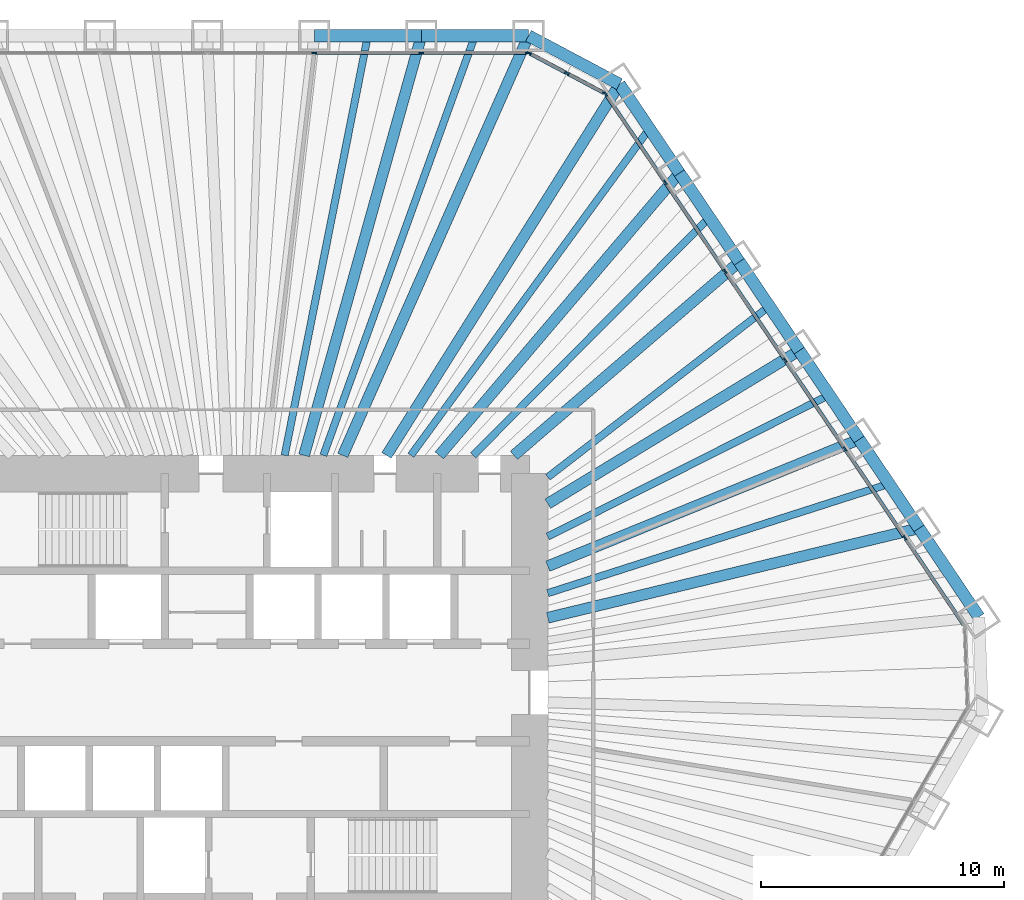
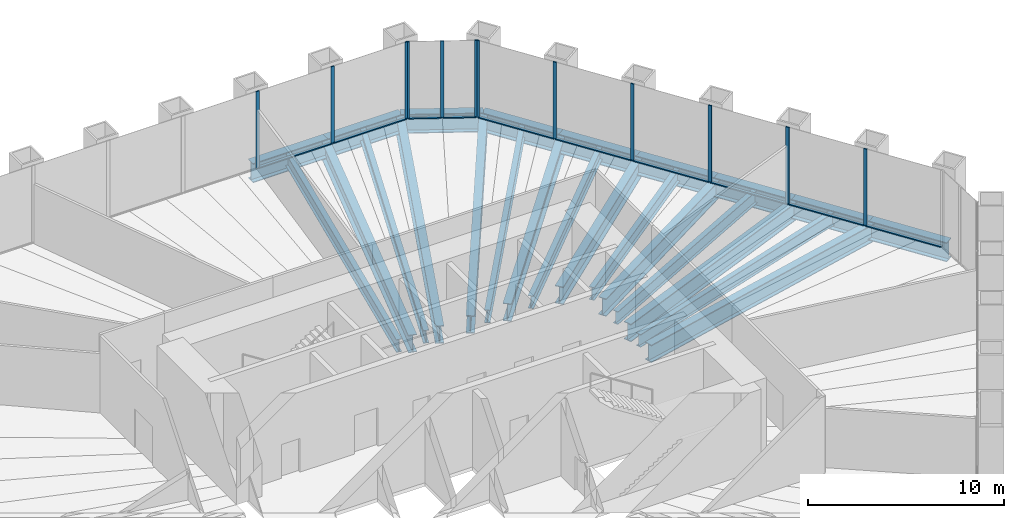
# One storey, part 7 of 13: 24 beams, 22 members, 3 elements without a shape of their own.
"""IFC4 building model written with IfcOpenShell, lengths in metres."""

from ifc_helpers import new_model, si_unit, direction, frame, origin, origin_2d, place, context, subcontext, project, spatial, rectangle, i_section, extrude, material, material_profile, profile_set, type_object, element, aggregate, save


model = new_model("IFC4")

# Units and contexts
model_context = context("Model", 3, precision=1e-05, world=origin(), true_north=direction((0.0, 1.0)))
body_context = subcontext(model_context, "Body", "Model", "MODEL_VIEW")
ifc_project = project(units=[si_unit("LENGTHUNIT", "METRE"), si_unit("AREAUNIT", "SQUARE_METRE"), si_unit("VOLUMEUNIT", "CUBIC_METRE"), si_unit("PLANEANGLEUNIT", "RADIAN"), si_unit("MASSUNIT", "GRAM", prefix="KILO")], contexts=[model_context])

# Site, building, storey
site_placement = place(None, origin())
site = spatial("IfcSite", under=ifc_project, at=site_placement, CompositionType="ELEMENT")
building_placement = place(site_placement, origin())
building = spatial("IfcBuilding", under=site, at=building_placement, Name="Qingtian Harvest Tower", CompositionType="ELEMENT")
storey_placement = place(building_placement, frame((0.0, 0.0, 37.0)))
storey = spatial("IfcBuildingStorey", under=building, at=storey_placement, Name="L07", CompositionType="ELEMENT", Elevation=37.0)

# Beams
ifc_material_1 = material(Name="Steel SM570MC", Category="steel")
ifc_material_profile_1 = material_profile(ifc_material_1, i_section(OverallWidth=0.449951171875, OverallDepth=1.10009765625, WebThickness=0.02197265625, FlangeThickness=0.044921875, at=origin_2d()), Name="H1100x450x22x45")
ifc_profile_set_1 = profile_set([ifc_material_profile_1], Name="Steel SM570MC")
beam_type_1 = type_object("IfcBeamType", Name="Corner floor beam FB8 H1100x450x22x45", PredefinedType="BEAM", material=ifc_profile_set_1)
beam_1_placement = place(storey_placement, frame((11.9560546875, 27.0, -0.75), z_axis=(-0.404898955654, -0.914361436036, 0.0), x_axis=(0.914361436036, -0.404898955654, 0.0)))
element("IfcBeam", 1, at=beam_1_placement, inside=storey, type_object=beam_type_1, Name="Floor beam FB8 N6", PredefinedType="BEAM", context=body_context, shape_type="SweptSolid", body=[
    extrude(i_section(OverallWidth=0.449951171875, OverallDepth=1.10009765625, WebThickness=0.02197265625, FlangeThickness=0.044921875, at=origin_2d()), origin(), (0.0, 0.0, 1.0), 18.86572265625),
])
beam_2_placement = place(storey_placement, frame((15.6982421875, 25.01025390625, -0.75), z_axis=(-0.531622796942, -0.846981228701, 0.0), x_axis=(0.846981228701, -0.531622796942, 0.0)))
element("IfcBeam", 2, at=beam_2_placement, inside=storey, type_object=beam_type_1, Name="Floor beam FB8 NE0", PredefinedType="BEAM", context=body_context, shape_type="SweptSolid", body=[
    extrude(i_section(OverallWidth=0.449951171875, OverallDepth=1.10009765625, WebThickness=0.02197265625, FlangeThickness=0.044921875, at=origin_2d()), origin(), (0.0, 0.0, 1.0), 18.017333984375),
])
ifc_material_2 = material(Name="Steel SM570MC", Category="steel")
ifc_material_profile_2 = material_profile(ifc_material_2, i_section(OverallWidth=0.449951171875, OverallDepth=1.10009765625, WebThickness=0.02197265625, FlangeThickness=0.044921875, at=origin_2d()), Name="H1100x450x22x45")
ifc_profile_set_2 = profile_set([ifc_material_profile_2], Name="Steel SM570MC")
beam_type_2 = type_object("IfcBeamType", Name="Floor beam FB1 H1100x450x22x45", PredefinedType="BEAM", material=ifc_profile_set_2)
beam_3_placement = place(storey_placement, frame((7.551513671875, 27.0, -0.75), z_axis=(-0.269343258019, -0.963044240604, 0.0), x_axis=(0.963044240604, -0.269343258019, 0.0)))
element("IfcBeam", 3, at=beam_3_placement, inside=storey, type_object=beam_type_2, Name="Floor beam FB1 N5", PredefinedType="BEAM", context=body_context, shape_type="SweptSolid", body=[
    extrude(i_section(OverallWidth=0.449951171875, OverallDepth=1.10009765625, WebThickness=0.02197265625, FlangeThickness=0.044921875, at=origin_2d()), origin(), (0.0, 0.0, 1.0), 17.911865234375),
])
beam_4_placement = place(storey_placement, frame((18.1611328125, 21.358642578125, -0.75), z_axis=(-0.647781887327, -0.761825850474, 0.0), x_axis=(0.761825850474, -0.647781887327, 0.0)))
element("IfcBeam", 4, at=beam_4_placement, inside=storey, type_object=beam_type_2, Name="Floor beam FB1 NE1", PredefinedType="BEAM", context=body_context, shape_type="SweptSolid", body=[
    extrude(i_section(OverallWidth=0.449951171875, OverallDepth=1.10009765625, WebThickness=0.02197265625, FlangeThickness=0.044921875, at=origin_2d()), origin(), (0.0, 0.0, 1.0), 15.238037109375),
])
beam_5_placement = place(storey_placement, frame((20.624267578125, 17.70703125, -0.75), z_axis=(-0.75873153072, -0.651403457384, 0.0), x_axis=(0.651403457384, -0.75873153072, 0.0)))
element("IfcBeam", 5, at=beam_5_placement, inside=storey, type_object=beam_type_2, Name="Floor beam FB1 NE2", PredefinedType="BEAM", context=body_context, shape_type="SweptSolid", body=[
    extrude(i_section(OverallWidth=0.449951171875, OverallDepth=1.10009765625, WebThickness=0.02197265625, FlangeThickness=0.044921875, at=origin_2d()), origin(), (0.0, 0.0, 1.0), 12.21533203125),
])
beam_6_placement = place(storey_placement, frame((23.08740234375, 14.0556640625, -0.75), z_axis=(-0.854157261259, -0.520014781558, 0.0), x_axis=(0.520014781558, -0.854157261259, 0.0)))
element("IfcBeam", 6, at=beam_6_placement, inside=storey, type_object=beam_type_2, Name="Floor beam FB1 NE3", PredefinedType="BEAM", context=body_context, shape_type="SweptSolid", body=[
    extrude(i_section(OverallWidth=0.449951171875, OverallDepth=1.10009765625, WebThickness=0.02197265625, FlangeThickness=0.044921875, at=origin_2d()), origin(), (0.0, 0.0, 1.0), 12.1025390625),
])
beam_7_placement = place(storey_placement, frame((25.55029296875, 10.404052734375, -0.75), z_axis=(-0.926156354735, -0.37713977062, 0.0), x_axis=(0.37713977062, -0.926156354735, 0.0)))
element("IfcBeam", 7, at=beam_7_placement, inside=storey, type_object=beam_type_2, Name="Floor beam FB1 NE4", PredefinedType="BEAM", context=body_context, shape_type="SweptSolid", body=[
    extrude(i_section(OverallWidth=0.449951171875, OverallDepth=1.10009765625, WebThickness=0.02197265625, FlangeThickness=0.044921875, at=origin_2d()), origin(), (0.0, 0.0, 1.0), 13.82080078125),
])
beam_8_placement = place(storey_placement, frame((28.013427734375, 6.75244140625, -0.75), z_axis=(-0.972155908389, -0.234334994792, 0.0), x_axis=(0.234334994792, -0.972155908389, 0.0)))
element("IfcBeam", 8, at=beam_8_placement, inside=storey, type_object=beam_type_2, Name="Floor beam FB1 NE5", PredefinedType="BEAM", context=body_context, shape_type="SweptSolid", body=[
    extrude(i_section(OverallWidth=0.449951171875, OverallDepth=1.10009765625, WebThickness=0.02197265625, FlangeThickness=0.044921875, at=origin_2d()), origin(), (0.0, 0.0, 1.0), 15.70068359375),
])
ifc_material_3 = material(Name="Steel SN490B", Category="steel")
ifc_material_profile_3 = material_profile(ifc_material_3, i_section(OverallWidth=0.300048828125, OverallDepth=0.800048828125, WebThickness=0.013916015625, FlangeThickness=0.02587890625, at=origin_2d()), Name="H800x300x14x26")
ifc_profile_set_3 = profile_set([ifc_material_profile_3], Name="Steel SN490B")
beam_type_3 = type_object("IfcBeamType", Name="Floor joist J1 H800x300x14x26", PredefinedType="JOIST", material=ifc_profile_set_3)
beam_9_placement = place(storey_placement, frame((5.349365234375, 27.0, -0.60009765625), z_axis=(-0.19435104803, -0.980932041545, 0.0), x_axis=(0.980932041545, -0.19435104803, 0.0)))
element("IfcBeam", 9, at=beam_9_placement, inside=storey, type_object=beam_type_3, Name="Floor joist J1 N4", PredefinedType="JOIST", context=body_context, shape_type="SweptSolid", body=[
    extrude(i_section(OverallWidth=0.300048828125, OverallDepth=0.800048828125, WebThickness=0.013916015625, FlangeThickness=0.02587890625, at=origin_2d()), origin(), (0.0, 0.0, 1.0), 17.585205078125),
])
beam_10_placement = place(storey_placement, frame((9.75390625, 27.0, -0.60009765625), z_axis=(-0.339766141765, -0.940509951521, 0.0), x_axis=(0.940509951521, -0.339766141765, 0.0)))
element("IfcBeam", 10, at=beam_10_placement, inside=storey, type_object=beam_type_3, Name="Floor joist J1 N5", PredefinedType="JOIST", context=body_context, shape_type="SweptSolid", body=[
    extrude(i_section(OverallWidth=0.300048828125, OverallDepth=0.800048828125, WebThickness=0.013916015625, FlangeThickness=0.02587890625, at=origin_2d()), origin(), (0.0, 0.0, 1.0), 18.341064453125),
])
beam_11_placement = place(storey_placement, frame((16.9296875, 23.1845703125, -0.60009765625), z_axis=(-0.589722175422, -0.80760618857, 0.0), x_axis=(0.80760618857, -0.589722175422, 0.0)))
element("IfcBeam", 11, at=beam_11_placement, inside=storey, type_object=beam_type_3, Name="Floor joist J1 NE0", PredefinedType="JOIST", context=body_context, shape_type="SweptSolid", body=[
    extrude(i_section(OverallWidth=0.300048828125, OverallDepth=0.800048828125, WebThickness=0.013916015625, FlangeThickness=0.02587890625, at=origin_2d()), origin(), (0.0, 0.0, 1.0), 16.635009765625),
])
beam_12_placement = place(storey_placement, frame((19.392822265625, 19.532958984375, -0.60009765625), z_axis=(-0.704560879039, -0.709643549768, 0.0), x_axis=(0.709643549768, -0.704560879039, 0.0)))
element("IfcBeam", 12, at=beam_12_placement, inside=storey, type_object=beam_type_3, Name="Floor joist J1 NE1", PredefinedType="JOIST", context=body_context, shape_type="SweptSolid", body=[
    extrude(i_section(OverallWidth=0.300048828125, OverallDepth=0.800048828125, WebThickness=0.013916015625, FlangeThickness=0.02587890625, at=origin_2d()), origin(), (0.0, 0.0, 1.0), 13.78564453125),
])
beam_13_placement = place(storey_placement, frame((21.855712890625, 15.88134765625, -0.60009765625), z_axis=(-0.79149450594, -0.611176281499, 0.0), x_axis=(0.611176281499, -0.79149450594, 0.0)))
element("IfcBeam", 13, at=beam_13_placement, inside=storey, type_object=beam_type_3, Name="Floor joist J1 NE2", PredefinedType="JOIST", context=body_context, shape_type="SweptSolid", body=[
    extrude(i_section(OverallWidth=0.300048828125, OverallDepth=0.800048828125, WebThickness=0.013916015625, FlangeThickness=0.02587890625, at=origin_2d()), origin(), (0.0, 0.0, 1.0), 11.50439453125),
])
beam_14_placement = place(storey_placement, frame((24.31884765625, 12.229736328125, -0.60009765625), z_axis=(-0.893391632689, -0.449278744924, 0.0), x_axis=(0.449278744924, -0.893391632689, 0.0)))
element("IfcBeam", 14, at=beam_14_placement, inside=storey, type_object=beam_type_3, Name="Floor joist J1 NE3", PredefinedType="JOIST", context=body_context, shape_type="SweptSolid", body=[
    extrude(i_section(OverallWidth=0.300048828125, OverallDepth=0.800048828125, WebThickness=0.013916015625, FlangeThickness=0.02587890625, at=origin_2d()), origin(), (0.0, 0.0, 1.0), 12.949462890625),
])
beam_15_placement = place(storey_placement, frame((26.78173828125, 8.578125, -0.60009765625), z_axis=(-0.952340804978, -0.305036048976, 0.0), x_axis=(0.305036048976, -0.952340804978, 0.0)))
element("IfcBeam", 15, at=beam_15_placement, inside=storey, type_object=beam_type_3, Name="Floor joist J1 NE4", PredefinedType="JOIST", context=body_context, shape_type="SweptSolid", body=[
    extrude(i_section(OverallWidth=0.300048828125, OverallDepth=0.800048828125, WebThickness=0.013916015625, FlangeThickness=0.02587890625, at=origin_2d()), origin(), (0.0, 0.0, 1.0), 14.73388671875),
])

# Curtain wall, members
ifc_material_4 = material(Name="Bronze-anodised aluminium curtain wall", Category="aluminium")
curtain_wall_type = type_object("IfcCurtainWallType", Name="Curtain wall CW2 farm reception", PredefinedType="USERDEFINED", material=ifc_material_4)
curtain_wall_1_placement = place(storey_placement, origin())
curtain_wall_1 = element("IfcCurtainWall", 16, at=curtain_wall_1_placement, inside=storey, type_object=curtain_wall_type, Name="Curtain wall CW2 L07 N0-5", ObjectType="RECESSED CURTAIN WALL", PredefinedType="USERDEFINED")
ifc_material_5 = material(Name="Bronze-anodised aluminium mullion", Category="aluminium")
ifc_material_profile_4 = material_profile(ifc_material_5, rectangle(XDim=0.06494140625, YDim=0.199951171875, at=origin_2d()), Name="AL 65x200")
ifc_profile_set_4 = profile_set([ifc_material_profile_4], Name="Bronze-anodised aluminium mullion")
member_type_1 = type_object("IfcMemberType", Name="Mullion CWM 65x200", PredefinedType="MULLION", material=ifc_profile_set_4)
member_1_placement = place(storey_placement, frame((3.14697265625, 26.300048828125, 0.0), z_axis=(0.0, 0.0, 1.0), x_axis=(0.0, 1.0, 0.0)))
member_1 = element("IfcMember", 17, at=member_1_placement, type_object=member_type_1, Name="CW2 mullion 5", PredefinedType="MULLION", context=body_context, shape_type="SweptSolid", body=[
    extrude(rectangle(XDim=0.06494140625, YDim=0.199951171875, at=origin_2d()), origin(), (0.0, 0.0, 1.0), 4.800048828125),
])
member_2_placement = place(storey_placement, frame((7.551513671875, 26.300048828125, 0.0), z_axis=(0.0, 0.0, 1.0), x_axis=(0.0, 1.0, 0.0)))
member_2 = element("IfcMember", 18, at=member_2_placement, type_object=member_type_1, Name="CW2 mullion 6", PredefinedType="MULLION", context=body_context, shape_type="SweptSolid", body=[
    extrude(rectangle(XDim=0.06494140625, YDim=0.199951171875, at=origin_2d()), origin(), (0.0, 0.0, 1.0), 4.800048828125),
])
member_3_placement = place(storey_placement, frame((11.923583984375, 26.300048828125, 0.0), z_axis=(0.0, 0.0, 1.0), x_axis=(0.0, 1.0, 0.0)))
member_3 = element("IfcMember", 19, at=member_3_placement, type_object=member_type_1, Name="CW2 mullion 7", PredefinedType="MULLION", context=body_context, shape_type="SweptSolid", body=[
    extrude(rectangle(XDim=0.06494140625, YDim=0.199951171875, at=origin_2d()), origin(), (0.0, 0.0, 1.0), 4.800048828125),
])

curtain_wall_2_placement = place(storey_placement, origin())
curtain_wall_2 = element("IfcCurtainWall", 20, at=curtain_wall_2_placement, inside=storey, type_object=curtain_wall_type, Name="Curtain wall CW2 L07 NC", ObjectType="RECESSED CURTAIN WALL", PredefinedType="USERDEFINED")
member_4_placement = place(storey_placement, frame((11.98486328125, 26.28466796875, 0.0), z_axis=(0.0, 0.0, 1.0), x_axis=(0.469471562786, 0.882947592859, 0.0)))
member_4 = element("IfcMember", 21, at=member_4_placement, type_object=member_type_1, Name="CW2 mullion 1", PredefinedType="MULLION", context=body_context, shape_type="SweptSolid", body=[
    extrude(rectangle(XDim=0.06494140625, YDim=0.199951171875, at=origin_2d()), origin(), (0.0, 0.0, 1.0), 4.800048828125),
])
member_5_placement = place(storey_placement, frame((13.537109375, 25.45947265625, 0.0), z_axis=(0.0, 0.0, 1.0), x_axis=(0.469471562786, 0.882947592859, 0.0)))
member_5 = element("IfcMember", 22, at=member_5_placement, type_object=member_type_1, Name="CW2 mullion 2", PredefinedType="MULLION", context=body_context, shape_type="SweptSolid", body=[
    extrude(rectangle(XDim=0.06494140625, YDim=0.199951171875, at=origin_2d()), origin(), (0.0, 0.0, 1.0), 4.800048828125),
])
member_6_placement = place(storey_placement, frame((15.089111328125, 24.634033203125, 0.0), z_axis=(0.0, 0.0, 1.0), x_axis=(0.469471562786, 0.882947592859, 0.0)))
member_6 = element("IfcMember", 23, at=member_6_placement, type_object=member_type_1, Name="CW2 mullion 3", PredefinedType="MULLION", context=body_context, shape_type="SweptSolid", body=[
    extrude(rectangle(XDim=0.06494140625, YDim=0.199951171875, at=origin_2d()), origin(), (0.0, 0.0, 1.0), 4.800048828125),
])

curtain_wall_3_placement = place(storey_placement, origin())
curtain_wall_3 = element("IfcCurtainWall", 24, at=curtain_wall_3_placement, inside=storey, type_object=curtain_wall_type, Name="Curtain wall CW2 L07 NE0-5", ObjectType="RECESSED CURTAIN WALL", PredefinedType="USERDEFINED")
member_7_placement = place(storey_placement, frame((15.135986328125, 24.592041015625, 0.0), z_axis=(0.0, 0.0, 1.0), x_axis=(0.829037572555, 0.559192903471, 0.0)))
member_7 = element("IfcMember", 25, at=member_7_placement, type_object=member_type_1, Name="CW2 mullion 1", PredefinedType="MULLION", context=body_context, shape_type="SweptSolid", body=[
    extrude(rectangle(XDim=0.06494140625, YDim=0.199951171875, at=origin_2d()), origin(), (0.0, 0.0, 1.0), 4.800048828125),
])
member_8_placement = place(storey_placement, frame((17.580810546875, 20.96728515625, 0.0), z_axis=(0.0, 0.0, 1.0), x_axis=(0.829037572555, 0.559192903471, 0.0)))
member_8 = element("IfcMember", 26, at=member_8_placement, type_object=member_type_1, Name="CW2 mullion 2", PredefinedType="MULLION", context=body_context, shape_type="SweptSolid", body=[
    extrude(rectangle(XDim=0.06494140625, YDim=0.199951171875, at=origin_2d()), origin(), (0.0, 0.0, 1.0), 4.800048828125),
])
member_9_placement = place(storey_placement, frame((20.0439453125, 17.315673828125, 0.0), z_axis=(0.0, 0.0, 1.0), x_axis=(0.829037572555, 0.559192903471, 0.0)))
member_9 = element("IfcMember", 27, at=member_9_placement, type_object=member_type_1, Name="CW2 mullion 3", PredefinedType="MULLION", context=body_context, shape_type="SweptSolid", body=[
    extrude(rectangle(XDim=0.06494140625, YDim=0.199951171875, at=origin_2d()), origin(), (0.0, 0.0, 1.0), 4.800048828125),
])
member_10_placement = place(storey_placement, frame((22.507080078125, 13.6640625, 0.0), z_axis=(0.0, 0.0, 1.0), x_axis=(0.829037572555, 0.559192903471, 0.0)))
member_10 = element("IfcMember", 28, at=member_10_placement, type_object=member_type_1, Name="CW2 mullion 4", PredefinedType="MULLION", context=body_context, shape_type="SweptSolid", body=[
    extrude(rectangle(XDim=0.06494140625, YDim=0.199951171875, at=origin_2d()), origin(), (0.0, 0.0, 1.0), 4.800048828125),
])
member_11_placement = place(storey_placement, frame((24.969970703125, 10.012451171875, 0.0), z_axis=(0.0, 0.0, 1.0), x_axis=(0.829037572555, 0.559192903471, 0.0)))
member_11 = element("IfcMember", 29, at=member_11_placement, type_object=member_type_1, Name="CW2 mullion 5", PredefinedType="MULLION", context=body_context, shape_type="SweptSolid", body=[
    extrude(rectangle(XDim=0.06494140625, YDim=0.199951171875, at=origin_2d()), origin(), (0.0, 0.0, 1.0), 4.800048828125),
])
member_12_placement = place(storey_placement, frame((27.43310546875, 6.36083984375, 0.0), z_axis=(0.0, 0.0, 1.0), x_axis=(0.829037572555, 0.559192903471, 0.0)))
member_12 = element("IfcMember", 30, at=member_12_placement, type_object=member_type_1, Name="CW2 mullion 6", PredefinedType="MULLION", context=body_context, shape_type="SweptSolid", body=[
    extrude(rectangle(XDim=0.06494140625, YDim=0.199951171875, at=origin_2d()), origin(), (0.0, 0.0, 1.0), 4.800048828125),
])

# Beams
ifc_material_6 = material(Name="Steel SM570MC", Category="steel")
ifc_material_profile_5 = material_profile(ifc_material_6, i_section(OverallWidth=0.5, OverallDepth=1.199951171875, WebThickness=0.02490234375, FlangeThickness=0.050048828125, at=origin_2d()), Name="H1200x500x25x50")
ifc_profile_set_5 = profile_set([ifc_material_profile_5], Name="Steel SM570MC")
beam_type_4 = type_object("IfcBeamType", Name="Spandrel beam SB1 H1200x500x25x50", PredefinedType="SPANDREL", material=ifc_profile_set_5)
for number, where, z_axis, x_axis, name in (
    (31, (3.14697265625, 27.0, -0.60009765625), (1.0, 0.0, 0.0), (0.0, 1.0, 0.0), "Spandrel SB1 N4"),
    (32, (7.551513671875, 27.0, -0.60009765625), (1.0, 0.0, 0.0), (0.0, 1.0, 0.0), "Spandrel SB1 N5"),
):
    element("IfcBeam", number, at=place(storey_placement, frame(where, z_axis=z_axis, x_axis=x_axis)), inside=storey, type_object=beam_type_4, Name=name, PredefinedType="SPANDREL", context=body_context, shape_type="SweptSolid", body=[
        extrude(i_section(OverallWidth=0.5, OverallDepth=1.199951171875, WebThickness=0.02490234375, FlangeThickness=0.050048828125, at=origin_2d()), origin(), (0.0, 0.0, 1.0), 4.404541015625),
    ])
beam_16_placement = place(storey_placement, frame((11.9560546875, 27.0, -0.60009765625), z_axis=(0.882948599748, -0.469469669099, 0.0), x_axis=(0.469469669099, 0.882948599748, 0.0)))
element("IfcBeam", 33, at=beam_16_placement, inside=storey, type_object=beam_type_4, Name="Spandrel SB1 NC", PredefinedType="SPANDREL", context=body_context, shape_type="SweptSolid", body=[
    extrude(i_section(OverallWidth=0.5, OverallDepth=1.199951171875, WebThickness=0.02490234375, FlangeThickness=0.050048828125, at=origin_2d()), origin(), (0.0, 0.0, 1.0), 4.23828125),
])
beam_17_placement = place(storey_placement, frame((15.6982421875, 25.01025390625, -0.60009765625), z_axis=(0.559169135272, -0.829053603912, 0.0), x_axis=(0.829053603912, 0.559169135272, 0.0)))
element("IfcBeam", 34, at=beam_17_placement, inside=storey, type_object=beam_type_4, Name="Spandrel SB1 NE0", PredefinedType="SPANDREL", context=body_context, shape_type="SweptSolid", body=[
    extrude(i_section(OverallWidth=0.5, OverallDepth=1.199951171875, WebThickness=0.02490234375, FlangeThickness=0.050048828125, at=origin_2d()), origin(), (0.0, 0.0, 1.0), 4.404541015625),
])
beam_18_placement = place(storey_placement, frame((18.1611328125, 21.358642578125, -0.60009765625), z_axis=(0.559207231603, -0.829027907928, 0.0), x_axis=(0.829027907928, 0.559207231603, 0.0)))
element("IfcBeam", 35, at=beam_18_placement, inside=storey, type_object=beam_type_4, Name="Spandrel SB1 NE1", PredefinedType="SPANDREL", context=body_context, shape_type="SweptSolid", body=[
    extrude(i_section(OverallWidth=0.5, OverallDepth=1.199951171875, WebThickness=0.02490234375, FlangeThickness=0.050048828125, at=origin_2d()), origin(), (0.0, 0.0, 1.0), 4.40478515625),
])
for number, where, z_axis, x_axis, name in (
    (36, (20.624267578125, 17.70703125, -0.60009765625), (0.559232928578, -0.829010573874, 0.0), (0.829010573874, 0.559232928578, 0.0), "Spandrel SB1 NE2"),
    (37, (23.08740234375, 14.0556640625, -0.60009765625), (0.559169135272, -0.829053603912, 0.0), (0.829053603912, 0.559169135272, 0.0), "Spandrel SB1 NE3"),
):
    element("IfcBeam", number, at=place(storey_placement, frame(where, z_axis=z_axis, x_axis=x_axis)), inside=storey, type_object=beam_type_4, Name=name, PredefinedType="SPANDREL", context=body_context, shape_type="SweptSolid", body=[
        extrude(i_section(OverallWidth=0.5, OverallDepth=1.199951171875, WebThickness=0.02490234375, FlangeThickness=0.050048828125, at=origin_2d()), origin(), (0.0, 0.0, 1.0), 4.404541015625),
    ])
beam_19_placement = place(storey_placement, frame((25.55029296875, 10.404052734375, -0.60009765625), z_axis=(0.559207231603, -0.829027907928, 0.0), x_axis=(0.829027907928, 0.559207231603, 0.0)))
element("IfcBeam", 38, at=beam_19_placement, inside=storey, type_object=beam_type_4, Name="Spandrel SB1 NE4", PredefinedType="SPANDREL", context=body_context, shape_type="SweptSolid", body=[
    extrude(i_section(OverallWidth=0.5, OverallDepth=1.199951171875, WebThickness=0.02490234375, FlangeThickness=0.050048828125, at=origin_2d()), origin(), (0.0, 0.0, 1.0), 4.40478515625),
])
beam_20_placement = place(storey_placement, frame((28.013427734375, 6.75244140625, -0.60009765625), z_axis=(0.559169135272, -0.829053603912, 0.0), x_axis=(0.829053603912, 0.559169135272, 0.0)))
element("IfcBeam", 39, at=beam_20_placement, inside=storey, type_object=beam_type_4, Name="Spandrel SB1 NE5", PredefinedType="SPANDREL", context=body_context, shape_type="SweptSolid", body=[
    extrude(i_section(OverallWidth=0.5, OverallDepth=1.199951171875, WebThickness=0.02490234375, FlangeThickness=0.050048828125, at=origin_2d()), origin(), (0.0, 0.0, 1.0), 4.404541015625),
])

# Member
ifc_material_7 = material(Name="Bronze-anodised aluminium transom", Category="aluminium")
ifc_material_profile_6 = material_profile(ifc_material_7, rectangle(XDim=0.14990234375, YDim=0.06494140625, at=origin_2d()), Name="AL 65x150")
ifc_profile_set_6 = profile_set([ifc_material_profile_6], Name="Bronze-anodised aluminium transom")
member_type_2 = type_object("IfcMemberType", Name="Transom CWT 65x150", PredefinedType="USERDEFINED", material=ifc_profile_set_6)
member_13_placement = place(storey_placement, frame((3.179443359375, 26.300048828125, 0.032470703125), z_axis=(1.0, 0.0, 0.0), x_axis=(0.0, 1.0, 0.0)))
member_13 = element("IfcMember", 40, at=member_13_placement, type_object=member_type_2, Name="CW2 transom 5.1", ObjectType="TRANSOM", PredefinedType="USERDEFINED", context=body_context, shape_type="SweptSolid", body=[
    extrude(rectangle(XDim=0.14990234375, YDim=0.06494140625, at=origin_2d()), origin(), (0.0, 0.0, 1.0), 4.339599609375),
])

member_14_placement = place(storey_placement, frame((7.583984375, 26.300048828125, 0.032470703125), z_axis=(1.0, 0.0, 0.0), x_axis=(0.0, 1.0, 0.0)))
member_14 = element("IfcMember", 41, at=member_14_placement, type_object=member_type_2, Name="CW2 transom 6.1", ObjectType="TRANSOM", PredefinedType="USERDEFINED", context=body_context, shape_type="SweptSolid", body=[
    extrude(rectangle(XDim=0.14990234375, YDim=0.06494140625, at=origin_2d()), origin(), (0.0, 0.0, 1.0), 4.30712890625),
])

aggregate(curtain_wall_1, [member_1, member_2, member_3, member_13, member_14])

member_15_placement = place(storey_placement, frame((12.013427734375, 26.26953125, 0.032470703125), z_axis=(0.882927080927, -0.469510138086, 0.0), x_axis=(0.469510138086, 0.882927080927, 0.0)))
member_15 = element("IfcMember", 42, at=member_15_placement, type_object=member_type_2, Name="CW2 transom 1.1", ObjectType="TRANSOM", PredefinedType="USERDEFINED", context=body_context, shape_type="SweptSolid", body=[
    extrude(rectangle(XDim=0.14990234375, YDim=0.06494140625, at=origin_2d()), origin(), (0.0, 0.0, 1.0), 1.693115234375),
])

member_16_placement = place(storey_placement, frame((13.565673828125, 25.444091796875, 0.032470703125), z_axis=(0.882986854304, -0.469397715297, 0.0), x_axis=(0.469397715297, 0.882986854304, 0.0)))
member_16 = element("IfcMember", 43, at=member_16_placement, type_object=member_type_2, Name="CW2 transom 2.1", ObjectType="TRANSOM", PredefinedType="USERDEFINED", context=body_context, shape_type="SweptSolid", body=[
    extrude(rectangle(XDim=0.14990234375, YDim=0.06494140625, at=origin_2d()), origin(), (0.0, 0.0, 1.0), 1.69287109375),
])

aggregate(curtain_wall_2, [member_4, member_5, member_6, member_15, member_16])

member_17_placement = place(storey_placement, frame((15.154296875, 24.56494140625, 0.032470703125), z_axis=(0.559178817275, -0.82904707364, 0.0), x_axis=(0.82904707364, 0.559178817275, 0.0)))
member_17 = element("IfcMember", 44, at=member_17_placement, type_object=member_type_2, Name="CW2 transom 1.1", ObjectType="TRANSOM", PredefinedType="USERDEFINED", context=body_context, shape_type="SweptSolid", body=[
    extrude(rectangle(XDim=0.14990234375, YDim=0.06494140625, at=origin_2d()), origin(), (0.0, 0.0, 1.0), 4.30712890625),
])

member_18_placement = place(storey_placement, frame((17.59912109375, 20.9404296875, 0.032470703125), z_axis=(0.559210013199, -0.82902603164, 0.0), x_axis=(0.82902603164, 0.559210013199, 0.0)))
member_18 = element("IfcMember", 45, at=member_18_placement, type_object=member_type_2, Name="CW2 transom 2.1", ObjectType="TRANSOM", PredefinedType="USERDEFINED", context=body_context, shape_type="SweptSolid", body=[
    extrude(rectangle(XDim=0.14990234375, YDim=0.06494140625, at=origin_2d()), origin(), (0.0, 0.0, 1.0), 4.339599609375),
])

member_19_placement = place(storey_placement, frame((20.06201171875, 17.288818359375, 0.032470703125), z_axis=(0.559210013199, -0.82902603164, 0.0), x_axis=(0.82902603164, 0.559210013199, 0.0)))
member_19 = element("IfcMember", 46, at=member_19_placement, type_object=member_type_2, Name="CW2 transom 3.1", ObjectType="TRANSOM", PredefinedType="USERDEFINED", context=body_context, shape_type="SweptSolid", body=[
    extrude(rectangle(XDim=0.14990234375, YDim=0.06494140625, at=origin_2d()), origin(), (0.0, 0.0, 1.0), 4.339599609375),
])

member_20_placement = place(storey_placement, frame((22.525146484375, 13.63720703125, 0.032470703125), z_axis=(0.559210013199, -0.82902603164, 0.0), x_axis=(0.82902603164, 0.559210013199, 0.0)))
member_20 = element("IfcMember", 47, at=member_20_placement, type_object=member_type_2, Name="CW2 transom 4.1", ObjectType="TRANSOM", PredefinedType="USERDEFINED", context=body_context, shape_type="SweptSolid", body=[
    extrude(rectangle(XDim=0.14990234375, YDim=0.06494140625, at=origin_2d()), origin(), (0.0, 0.0, 1.0), 4.339599609375),
])

member_21_placement = place(storey_placement, frame((24.98828125, 9.985595703125, 0.032470703125), z_axis=(0.559171345763, -0.829052113005, 0.0), x_axis=(0.829052113005, 0.559171345763, 0.0)))
member_21 = element("IfcMember", 48, at=member_21_placement, type_object=member_type_2, Name="CW2 transom 5.1", ObjectType="TRANSOM", PredefinedType="USERDEFINED", context=body_context, shape_type="SweptSolid", body=[
    extrude(rectangle(XDim=0.14990234375, YDim=0.06494140625, at=origin_2d()), origin(), (0.0, 0.0, 1.0), 4.339599609375),
])

member_22_placement = place(storey_placement, frame((27.451171875, 6.333984375, 0.032470703125), z_axis=(0.559178817275, -0.82904707364, 0.0), x_axis=(0.82904707364, 0.559178817275, 0.0)))
member_22 = element("IfcMember", 49, at=member_22_placement, type_object=member_type_2, Name="CW2 transom 6.1", ObjectType="TRANSOM", PredefinedType="USERDEFINED", context=body_context, shape_type="SweptSolid", body=[
    extrude(rectangle(XDim=0.14990234375, YDim=0.06494140625, at=origin_2d()), origin(), (0.0, 0.0, 1.0), 4.30712890625),
])

aggregate(curtain_wall_3, [member_7, member_8, member_9, member_10, member_11, member_12, member_17, member_18, member_19, member_20, member_21, member_22])

save(model, "model.ifc")
